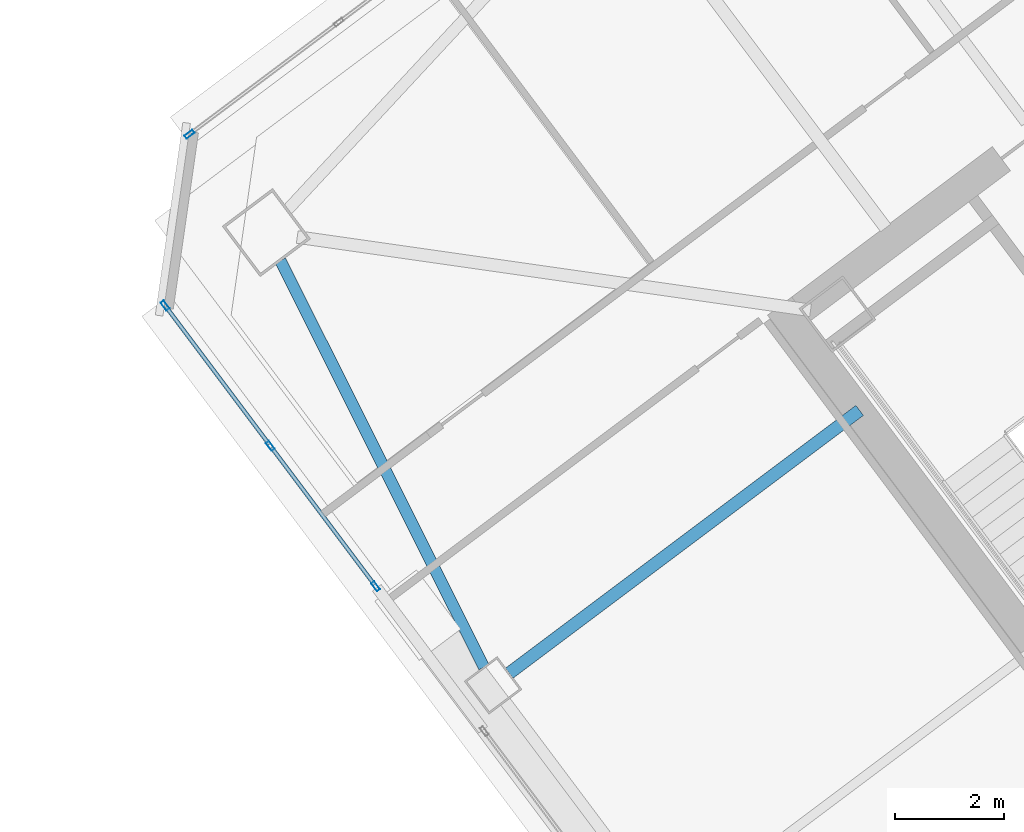
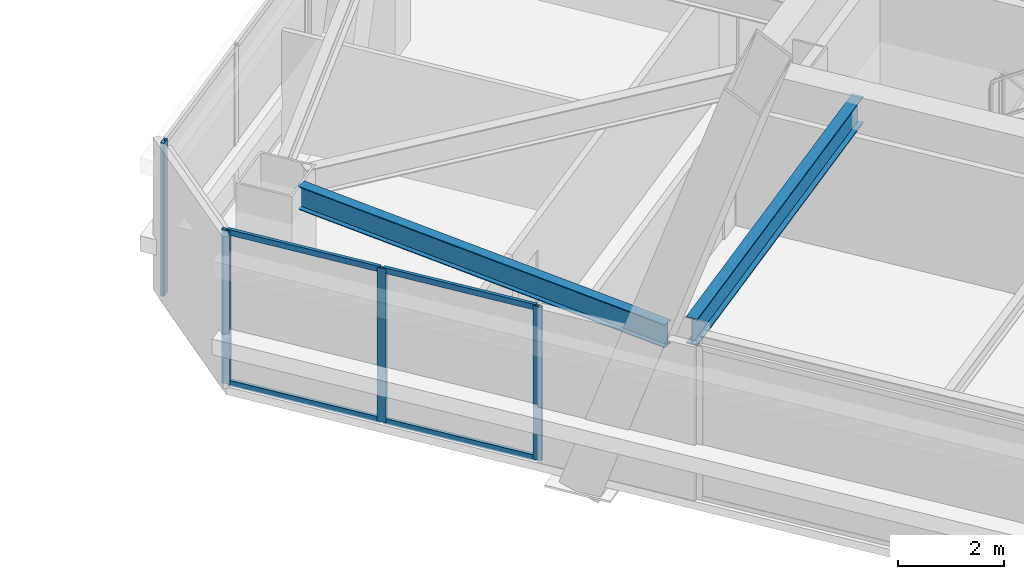
# One storey, part 28 of 55: 8 members, 2 beams, 2 elements without a shape of their own.
"""IFC4 building model written with IfcOpenShell, lengths in metres."""

from ifc_helpers import new_model, si_unit, direction, frame, origin, origin_2d, place, context, subcontext, project, spatial, hollow_rectangle, i_section, extrude, material, material_profile, profile_set, type_object, element, aggregate, save


model = new_model("IFC4")

# Units and contexts
model_context = context("Model", 3, precision=1e-05, world=origin(), true_north=direction((0.0, 1.0)))
body_context = subcontext(model_context, "Body", "Model", "MODEL_VIEW")
ifc_project = project(units=[si_unit("LENGTHUNIT", "METRE"), si_unit("AREAUNIT", "SQUARE_METRE"), si_unit("VOLUMEUNIT", "CUBIC_METRE"), si_unit("PLANEANGLEUNIT", "RADIAN"), si_unit("MASSUNIT", "GRAM", prefix="KILO")], contexts=[model_context])

# Site, building, storey
site_placement = place(None, origin())
site = spatial("IfcSite", under=ifc_project, at=site_placement, CompositionType="ELEMENT")
building_placement = place(site_placement, origin())
building = spatial("IfcBuilding", under=site, at=building_placement, Name="Tashvorn Skyway Center", CompositionType="ELEMENT")
storey_placement = place(building_placement, frame((0.0, 0.0, 178.300048828125)))
storey = spatial("IfcBuildingStorey", under=building, at=storey_placement, Name="L48", CompositionType="ELEMENT", Elevation=178.300048828125)

# Beams
ifc_material_1 = material(Name="Steel ASTM A992 Grade 50", Category="steel")
ifc_material_profile_1 = material_profile(ifc_material_1, i_section(OverallWidth=0.22998046875, OverallDepth=0.616943359375, WebThickness=0.01318359375, FlangeThickness=0.022216796875, at=origin_2d()), Name="W24X94")
ifc_profile_set_1 = profile_set([ifc_material_profile_1], Name="Steel ASTM A992 Grade 50")
beam_type_1 = type_object("IfcBeamType", Name="BM-BEAM-W24X94", PredefinedType="BEAM", material=ifc_profile_set_1)
beam_1_placement = place(storey_placement, frame((98.135986328125, 26.85205078125, 3.0615234375), z_axis=(0.799992675677, 0.60000976564, 0.0), x_axis=(-0.60000976564, 0.799992675677, 0.0)))
element("IfcBeam", 1, at=beam_1_placement, inside=storey, type_object=beam_type_1, Name="Tower 2 L48 Primary Floor Girder FC-W1", PredefinedType="BEAM", context=body_context, shape_type="SweptSolid", body=[
    extrude(i_section(OverallWidth=0.22998046875, OverallDepth=0.616943359375, WebThickness=0.01318359375, FlangeThickness=0.022216796875, at=origin_2d()), origin(), (0.0, 0.0, 1.0), 8.0),
])
ifc_material_profile_2 = material_profile(ifc_material_1, i_section(OverallWidth=0.2109375, OverallDepth=0.5390625, WebThickness=0.01171875, FlangeThickness=0.018798828125, at=origin_2d()), Name="W21X73")
ifc_profile_set_2 = profile_set([ifc_material_profile_2], Name="Steel ASTM A992 Grade 50")
beam_type_2 = type_object("IfcBeamType", Name="BM-SPANDREL-W21X73", PredefinedType="SPANDREL", material=ifc_profile_set_2)
beam_2_placement = place(storey_placement, frame((93.955078125, 34.390380859375, 3.100341796875), z_axis=(0.447648438059, -0.894209637559, 0.0), x_axis=(0.894209637559, 0.447648438059, 0.0)))
element("IfcBeam", 2, at=beam_2_placement, inside=storey, type_object=beam_type_2, Name="Tower 2 L48 Spandrel Beam 10", PredefinedType="SPANDREL", context=body_context, shape_type="SweptSolid", body=[
    extrude(i_section(OverallWidth=0.2109375, OverallDepth=0.5390625, WebThickness=0.01171875, FlangeThickness=0.018798828125, at=origin_2d()), origin(), (0.0, 0.0, 1.0), 8.308349609375),
])

# Curtain wall, members
ifc_material_2 = material(Name="Thermally broken bronze-anodized aluminium 6063-T6", Category="aluminium")
curtain_wall_type = type_object("IfcCurtainWallType", Name="CW-CW-Z4", PredefinedType="NOTDEFINED", material=ifc_material_2)
curtain_wall_1_placement = place(storey_placement, origin())
curtain_wall_1 = element("IfcCurtainWall", 3, at=curtain_wall_1_placement, inside=storey, type_object=curtain_wall_type, Name="Tower 2 L48 West Unitised Curtain Wall Glazing Group 3", PredefinedType="NOTDEFINED")
ifc_material_profile_3 = material_profile(ifc_material_2, hollow_rectangle(XDim=0.070068359375, YDim=0.179931640625, WallThickness=0.00390625, at=origin_2d()), Name="ALU-MULL-70x180")
ifc_profile_set_3 = profile_set([ifc_material_profile_3], Name="Thermally broken bronze-anodized aluminium 6063-T6")
member_type_1 = type_object("IfcMemberType", Name="CWM-CW-Z4", PredefinedType="MULLION", material=ifc_profile_set_3)
member_1_placement = place(storey_placement, frame((95.695068359375, 28.43994140625, 0.0), z_axis=(0.0, 0.0, 1.0), x_axis=(-0.799999999998, -0.600000000002, 0.0)))
member_1 = element("IfcMember", 4, at=member_1_placement, type_object=member_type_1, Name="CW-Z4 mullion 1", PredefinedType="MULLION", context=body_context, shape_type="SweptSolid", body=[
    extrude(hollow_rectangle(XDim=0.070068359375, YDim=0.179931640625, WallThickness=0.00390625, at=origin_2d()), origin(), (0.0, 0.0, 1.0), 3.550048828125),
])
member_2_placement = place(storey_placement, frame((93.77197265625, 31.00390625, 0.0), z_axis=(0.0, 0.0, 1.0), x_axis=(-0.799999999998, -0.600000000002, 0.0)))
member_2 = element("IfcMember", 5, at=member_2_placement, type_object=member_type_1, Name="CW-Z4 mullion 2", PredefinedType="MULLION", context=body_context, shape_type="SweptSolid", body=[
    extrude(hollow_rectangle(XDim=0.070068359375, YDim=0.179931640625, WallThickness=0.00390625, at=origin_2d()), origin(), (0.0, 0.0, 1.0), 3.550048828125),
])
member_3_placement = place(storey_placement, frame((91.84912109375, 33.568115234375, 0.0), z_axis=(0.0, 0.0, 1.0), x_axis=(-0.799999999998, -0.600000000002, 0.0)))
member_3 = element("IfcMember", 6, at=member_3_placement, type_object=member_type_1, Name="CW-Z4 mullion 3", PredefinedType="MULLION", context=body_context, shape_type="SweptSolid", body=[
    extrude(hollow_rectangle(XDim=0.070068359375, YDim=0.179931640625, WallThickness=0.00390625, at=origin_2d()), origin(), (0.0, 0.0, 1.0), 3.550048828125),
])

# Curtain wall, member
curtain_wall_2_placement = place(storey_placement, origin())
curtain_wall_2 = element("IfcCurtainWall", 7, at=curtain_wall_2_placement, inside=storey, type_object=curtain_wall_type, Name="Tower 2 L48 North Curtain Wall L Glazing Group 1", PredefinedType="NOTDEFINED")
member_4_placement = place(storey_placement, frame((92.2958984375, 36.697021484375, 0.0), z_axis=(0.0, 0.0, 1.0), x_axis=(-0.60000232334, 0.79999825749, 0.0)))
member_4 = element("IfcMember", 8, at=member_4_placement, type_object=member_type_1, Name="CW-Z4 mullion 1", PredefinedType="MULLION", context=body_context, shape_type="SweptSolid", body=[
    extrude(hollow_rectangle(XDim=0.070068359375, YDim=0.179931640625, WallThickness=0.00390625, at=origin_2d()), origin(), (0.0, 0.0, 1.0), 3.550048828125),
])
aggregate(curtain_wall_2, [member_4])

# Member
ifc_material_profile_4 = material_profile(ifc_material_2, hollow_rectangle(XDim=0.070068359375, YDim=0.1298828125, WallThickness=0.00390625, at=origin_2d()), Name="ALU-TRAN-70x130")
ifc_profile_set_4 = profile_set([ifc_material_profile_4], Name="Thermally broken bronze-anodized aluminium 6063-T6")
member_type_2 = type_object("IfcMemberType", Name="CWT-CW-Z4", PredefinedType="USERDEFINED", material=ifc_profile_set_4)
member_5_placement = place(storey_placement, frame((95.674072265625, 28.468017578125, 0.034912109375), z_axis=(-0.600012459628, 0.799990655127, 0.0), x_axis=(-0.799990655127, -0.600012459628, 0.0)))
member_5 = element("IfcMember", 9, at=member_5_placement, type_object=member_type_2, Name="CW-Z4 transom 1.1", ObjectType="TRANSOM", PredefinedType="USERDEFINED", context=body_context, shape_type="SweptSolid", body=[
    extrude(hollow_rectangle(XDim=0.070068359375, YDim=0.1298828125, WallThickness=0.00390625, at=origin_2d()), origin(), (0.0, 0.0, 1.0), 3.135009765625),
])

member_6_placement = place(storey_placement, frame((95.674072265625, 28.468017578125, 3.514892578125), z_axis=(-0.600012459628, 0.799990655127, 0.0), x_axis=(-0.799990655127, -0.600012459628, 0.0)))
member_6 = element("IfcMember", 10, at=member_6_placement, type_object=member_type_2, Name="CW-Z4 transom 1.2", ObjectType="TRANSOM", PredefinedType="USERDEFINED", context=body_context, shape_type="SweptSolid", body=[
    extrude(hollow_rectangle(XDim=0.070068359375, YDim=0.1298828125, WallThickness=0.00390625, at=origin_2d()), origin(), (0.0, 0.0, 1.0), 3.135009765625),
])

member_7_placement = place(storey_placement, frame((93.7509765625, 31.031982421875, 0.034912109375), z_axis=(-0.599962618496, 0.800028034763, 0.0), x_axis=(-0.800028034763, -0.599962618496, 0.0)))
member_7 = element("IfcMember", 11, at=member_7_placement, type_object=member_type_2, Name="CW-Z4 transom 2.1", ObjectType="TRANSOM", PredefinedType="USERDEFINED", context=body_context, shape_type="SweptSolid", body=[
    extrude(hollow_rectangle(XDim=0.070068359375, YDim=0.1298828125, WallThickness=0.00390625, at=origin_2d()), origin(), (0.0, 0.0, 1.0), 3.135009765625),
])

member_8_placement = place(storey_placement, frame((93.7509765625, 31.031982421875, 3.514892578125), z_axis=(-0.599962618496, 0.800028034763, 0.0), x_axis=(-0.800028034763, -0.599962618496, 0.0)))
member_8 = element("IfcMember", 12, at=member_8_placement, type_object=member_type_2, Name="CW-Z4 transom 2.2", ObjectType="TRANSOM", PredefinedType="USERDEFINED", context=body_context, shape_type="SweptSolid", body=[
    extrude(hollow_rectangle(XDim=0.070068359375, YDim=0.1298828125, WallThickness=0.00390625, at=origin_2d()), origin(), (0.0, 0.0, 1.0), 3.135009765625),
])

aggregate(curtain_wall_1, [member_1, member_2, member_3, member_5, member_6, member_7, member_8])

save(model, "model.ifc")
